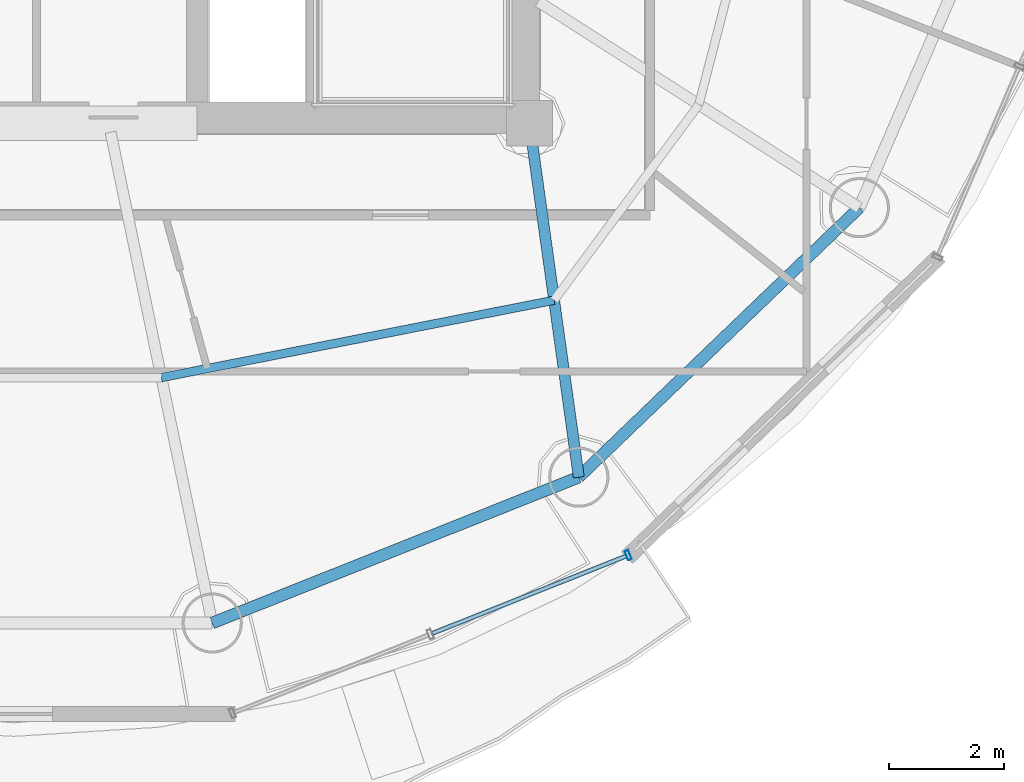
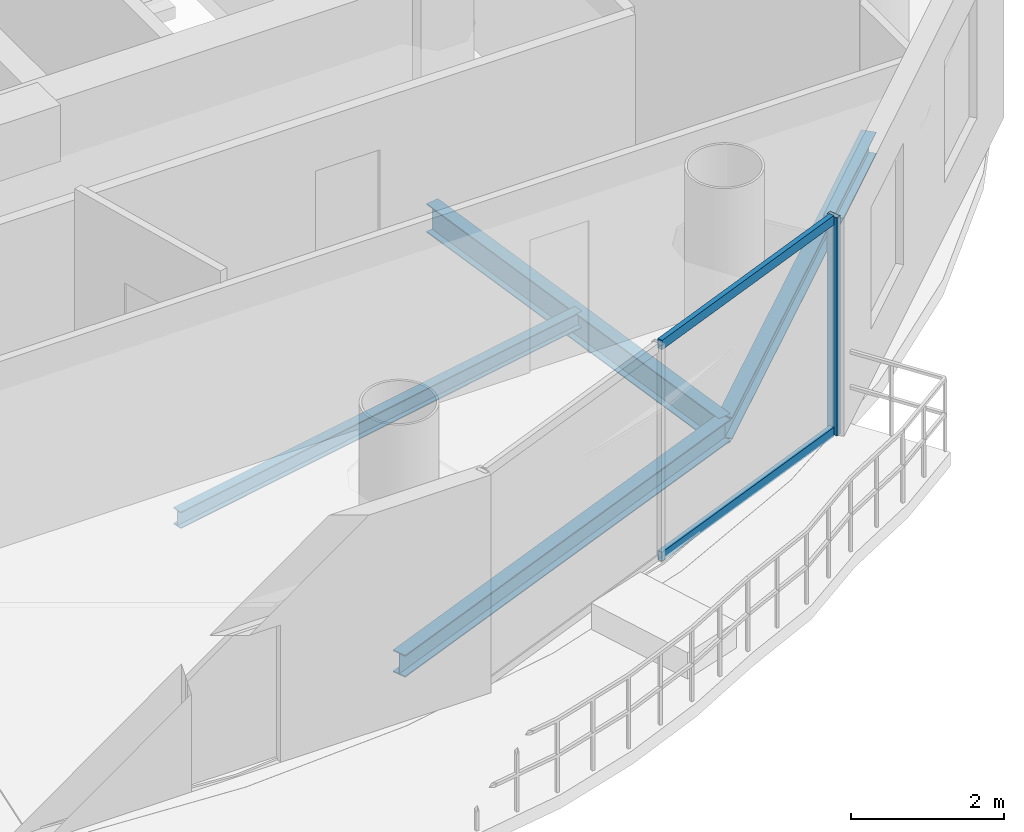
# One storey, part 5 of 21: 4 beams, 3 members, 1 element without a shape of its own.
"""IFC4 building model written with IfcOpenShell, lengths in metres."""

from ifc_helpers import new_model, si_unit, direction, frame, origin, origin_2d, place, context, subcontext, project, spatial, hollow_rectangle, i_section, extrude, source, transform, mapped, material, material_profile, profile_set, type_object, element, aggregate, save


model = new_model("IFC4")

# Units and contexts
model_context = context("Model", 3, precision=1e-05, world=origin(), true_north=direction((-0.2419218956, 0.970295726276)))
body_context = subcontext(model_context, "Body", "Model", "MODEL_VIEW")
ifc_project = project(units=[si_unit("LENGTHUNIT", "METRE"), si_unit("AREAUNIT", "SQUARE_METRE"), si_unit("VOLUMEUNIT", "CUBIC_METRE"), si_unit("PLANEANGLEUNIT", "RADIAN"), si_unit("MASSUNIT", "GRAM", prefix="KILO")], contexts=[model_context])

# Site, building, storey
site_placement = place(None, origin())
site = spatial("IfcSite", under=ifc_project, at=site_placement, CompositionType="ELEMENT")
building_placement = place(site_placement, origin())
building = spatial("IfcBuilding", under=site, at=building_placement, Name="Cobrevalo Terracotta Tower", CompositionType="ELEMENT")
storey_placement = place(building_placement, frame((0.0, 0.0, 281.949951171875)))
storey = spatial("IfcBuildingStorey", under=building, at=storey_placement, Name="L74", CompositionType="ELEMENT", Elevation=281.949951171875)

# Beams
ifc_material_1 = material(Name="Steel S355", Category="steel")
ifc_material_profile_1 = material_profile(ifc_material_1, i_section(OverallWidth=0.19091796875, OverallDepth=0.4599609375, WebThickness=0.010009765625, FlangeThickness=0.01611328125, at=origin_2d()), Name="W 460x82")
ifc_profile_set_1 = profile_set([ifc_material_profile_1], Name="Steel S355")
beam_type_1 = type_object("IfcBeamType", Name="Structural Beam W 460x82 (Steel S355)", PredefinedType="BEAM", material=ifc_profile_set_1)
beam_1_placement = place(storey_placement, frame((47.861328125, 12.62353515625, -0.489990234375), z_axis=(-0.138115657759, 0.990416107039, 0.0), x_axis=(-0.990416107039, -0.138115657759, 0.0)))
element("IfcBeam", 1, at=beam_1_placement, inside=storey, type_object=beam_type_1, Name="L74 radial floor girder 14", PredefinedType="BEAM", context=body_context, shape_type="SweptSolid", body=[
    extrude(i_section(OverallWidth=0.19091796875, OverallDepth=0.4599609375, WebThickness=0.010009765625, FlangeThickness=0.01611328125, at=origin_2d()), origin(), (0.0, 0.0, 1.0), 6.236328125),
])
ifc_material_profile_2 = material_profile(ifc_material_1, i_section(OverallWidth=0.14794921875, OverallDepth=0.26611328125, WebThickness=0.007568359375, FlangeThickness=0.012939453125, at=origin_2d()), Name="W 250x44.8")
ifc_profile_set_2 = profile_set([ifc_material_profile_2], Name="Steel S355")
beam_type_2 = type_object("IfcBeamType", Name="Structural Joist W 250x44.8 (Steel S355)", PredefinedType="JOIST", material=ifc_profile_set_2)
beam_2_placement = place(storey_placement, frame((40.57568359375, 14.361328125, -0.39306640625), z_axis=(0.981145060421, 0.193272787563, 0.0), x_axis=(-0.193272787563, 0.981145060421, 0.0)))
element("IfcBeam", 2, at=beam_2_placement, inside=storey, type_object=beam_type_2, Name="L74 circumferential secondary floor joist 13", PredefinedType="JOIST", context=body_context, shape_type="SweptSolid", body=[
    extrude(i_section(OverallWidth=0.14794921875, OverallDepth=0.26611328125, WebThickness=0.007568359375, FlangeThickness=0.012939453125, at=origin_2d()), origin(), (0.0, 0.0, 1.0), 6.98681640625),
])
ifc_material_profile_3 = material_profile(ifc_material_1, i_section(OverallWidth=0.205078125, OverallDepth=0.35400390625, WebThickness=0.009521484375, FlangeThickness=0.016845703125, at=origin_2d()), Name="W 360x79")
ifc_profile_set_3 = profile_set([ifc_material_profile_3], Name="Steel S355")
beam_type_3 = type_object("IfcBeamType", Name="Structural Spandrel W 360x79 (Steel S355)", PredefinedType="SPANDREL", material=ifc_profile_set_3)
beam_3_placement = place(storey_placement, frame((41.462890625, 10.07763671875, -0.43701171875), z_axis=(0.929149986048, 0.369702993533, 0.0), x_axis=(-0.369702993533, 0.929149986048, 0.0)))
element("IfcBeam", 3, at=beam_3_placement, inside=storey, type_object=beam_type_3, Name="L74 perimeter ring spandrel 13", PredefinedType="SPANDREL", context=body_context, shape_type="SweptSolid", body=[
    extrude(i_section(OverallWidth=0.205078125, OverallDepth=0.35400390625, WebThickness=0.009521484375, FlangeThickness=0.016845703125, at=origin_2d()), origin(), (0.0, 0.0, 1.0), 6.88623046875),
])
beam_4_placement = place(storey_placement, frame((47.861328125, 12.62353515625, -0.43701171875), z_axis=(0.721183246144, 0.692744343522, 0.0), x_axis=(-0.692744343522, 0.721183246144, 0.0)))
element("IfcBeam", 4, at=beam_4_placement, inside=storey, type_object=beam_type_3, Name="L74 perimeter ring spandrel 14", PredefinedType="SPANDREL", context=body_context, shape_type="SweptSolid", body=[
    extrude(i_section(OverallWidth=0.205078125, OverallDepth=0.35400390625, WebThickness=0.009521484375, FlangeThickness=0.016845703125, at=origin_2d()), origin(), (0.0, 0.0, 1.0), 6.79052734375),
])

# Curtain wall, members
ifc_material_2 = material(Name="Anodized aluminium", Category="aluminium")
curtain_wall_type = type_object("IfcCurtainWallType", Name="Upper-tower triple-glazed penthouse curtain wall CW-U3", PredefinedType="NOTDEFINED", material=ifc_material_2)
curtain_wall_placement = place(storey_placement, origin())
curtain_wall = element("IfcCurtainWall", 5, at=curtain_wall_placement, inside=storey, type_object=curtain_wall_type, Name="L74 curtain wall CW-L74-S13", PredefinedType="NOTDEFINED")
ifc_material_profile_4 = material_profile(ifc_material_2, hollow_rectangle(XDim=0.070068359375, YDim=0.169921875, WallThickness=0.00439453125, at=origin_2d()), Name="CWM 70x170")
ifc_profile_set_4 = profile_set([ifc_material_profile_4], Name="Anodized aluminium")
member_type_1 = type_object("IfcMemberType", Name="Upper tower unitised mullion 70x170", PredefinedType="MULLION", material=ifc_profile_set_4)
shared_shape_1 = source(origin(), body_context, "Body", "SweptSolid", [
    extrude(hollow_rectangle(XDim=0.070068359375, YDim=0.169921875, WallThickness=0.00439453125, at=origin_2d()), origin(), (0.0, 0.0, 1.0), 3.489990234375),
])
member_1_placement = place(storey_placement, frame((48.724365234375, 11.26171875, 0.0), z_axis=(0.0, 0.0, 1.0), x_axis=(0.928718980883, 0.370784377433, 0.0)))
member_1 = element("IfcMember", 6, at=member_1_placement, type_object=member_type_1, Name="CW-L74-S13 vertical mullion 03", PredefinedType="MULLION", context=body_context, shape_type="MappedRepresentation", body=[
    mapped(shared_shape_1, transform((0.0, 0.0, 0.0), scale=1.0)),
])
ifc_material_profile_5 = material_profile(ifc_material_2, hollow_rectangle(XDim=0.074951171875, YDim=0.14990234375, WallThickness=0.00439453125, at=origin_2d()), Name="CWT 75x150")
ifc_profile_set_5 = profile_set([ifc_material_profile_5], Name="Anodized aluminium")
member_type_2 = type_object("IfcMemberType", Name="Tower unitised aluminium transom 75x150", PredefinedType="USERDEFINED", material=ifc_profile_set_5)
shared_shape_2 = source(origin(), body_context, "Body", "SweptSolid", [
    extrude(hollow_rectangle(XDim=0.074951171875, YDim=0.14990234375, WallThickness=0.00439453125, at=origin_2d()), origin(), (0.0, 0.0, 1.0), 3.63916015625),
])
member_2_placement = place(storey_placement, frame((45.307373046875, 9.8974609375, 0.050048828125), z_axis=(0.928712471544, 0.370800681227, 0.0), x_axis=(-0.370800681227, 0.928712471544, 0.0)))
member_2 = element("IfcMember", 7, at=member_2_placement, type_object=member_type_2, Name="CW-L74-S13 transom B02-T1", ObjectType="TRANSOM", PredefinedType="USERDEFINED", context=body_context, shape_type="MappedRepresentation", body=[
    mapped(shared_shape_2, transform((0.0, 0.0, 0.0), scale=1.0)),
])
member_3_placement = place(storey_placement, frame((45.307373046875, 9.8974609375, 3.43994140625), z_axis=(0.928712471544, 0.370800681227, 0.0), x_axis=(-0.370800681227, 0.928712471544, 0.0)))
member_3 = element("IfcMember", 8, at=member_3_placement, type_object=member_type_2, Name="CW-L74-S13 transom B02-T2", ObjectType="TRANSOM", PredefinedType="USERDEFINED", context=body_context, shape_type="MappedRepresentation", body=[
    mapped(shared_shape_2, transform((0.0, 0.0, 0.0), scale=1.0)),
])
aggregate(curtain_wall, [member_1, member_2, member_3])

save(model, "model.ifc")
